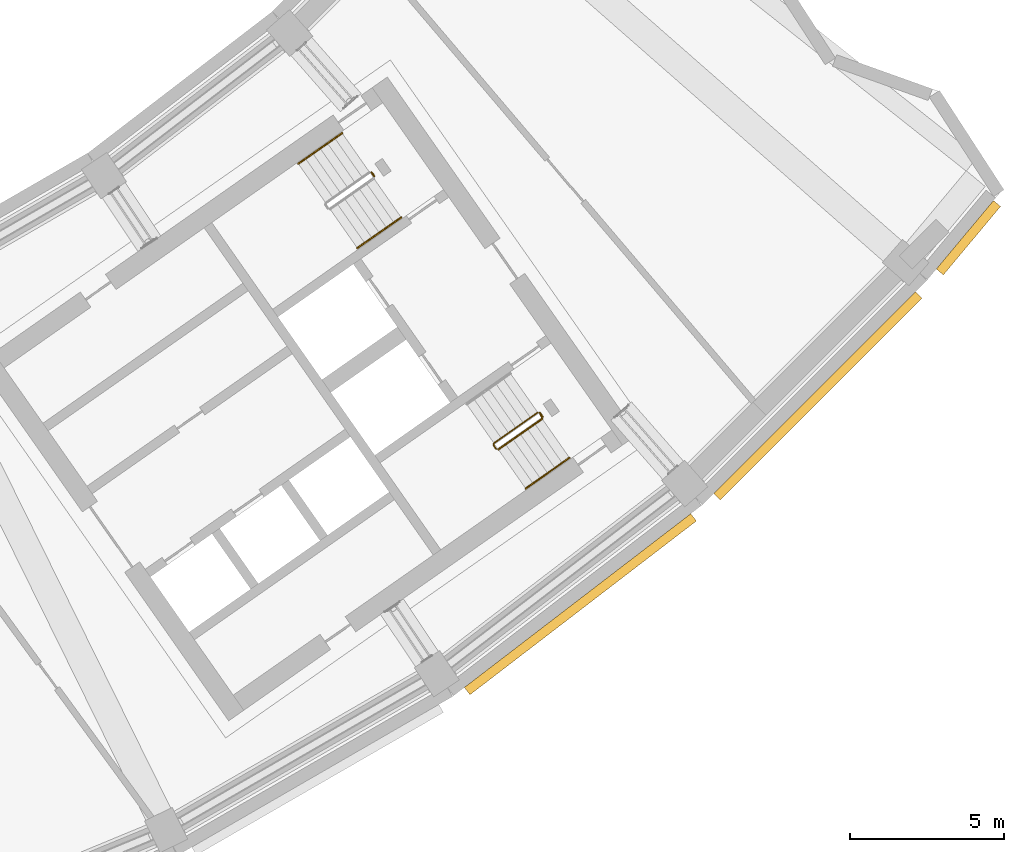
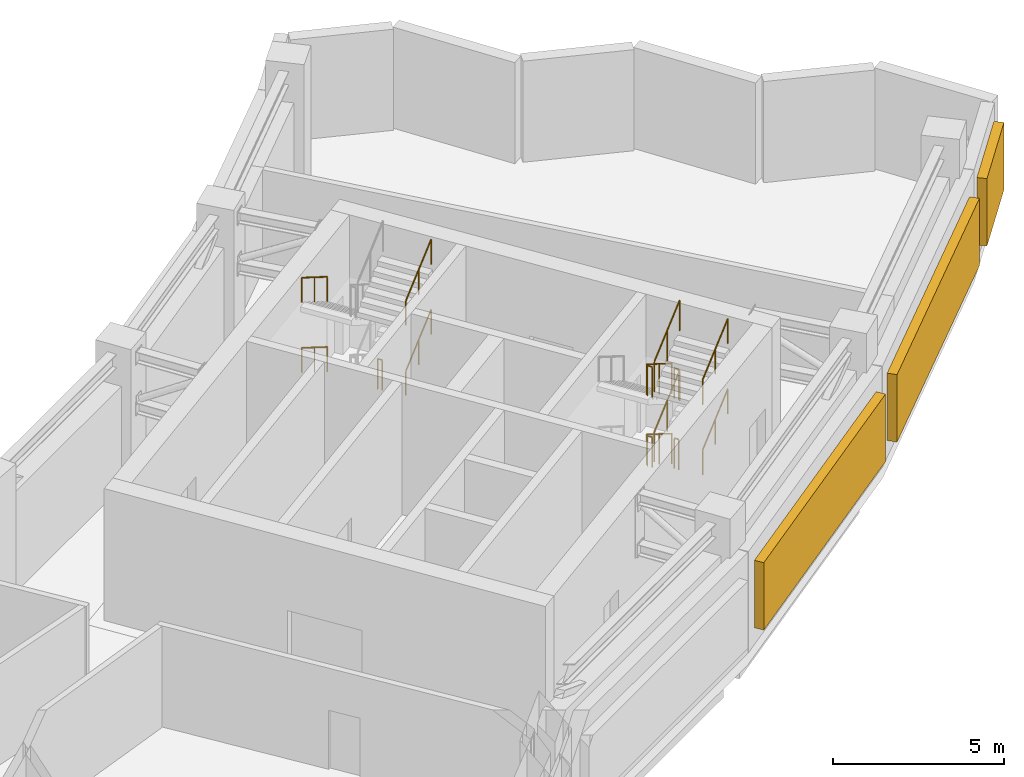
# One storey, part 24 of 24: 12 railings, 3 shading devices.
"""IFC4 building model written with IfcOpenShell, lengths in metres."""

from ifc_helpers import new_model, si_unit, direction, frame, origin, origin_2d, place, context, subcontext, project, spatial, rectangle, circle, extrude, material, type_object, element, save


model = new_model("IFC4")

# Units and contexts
model_context = context("Model", 3, precision=1e-05, world=origin(), true_north=direction((0.0, 1.0)))
body_context = subcontext(model_context, "Body", "Model", "MODEL_VIEW")
ifc_project = project(units=[si_unit("LENGTHUNIT", "METRE"), si_unit("AREAUNIT", "SQUARE_METRE"), si_unit("VOLUMEUNIT", "CUBIC_METRE"), si_unit("PLANEANGLEUNIT", "RADIAN"), si_unit("MASSUNIT", "GRAM", prefix="KILO")], contexts=[model_context])

# Site, building, storey
site_placement = place(None, origin())
site = spatial("IfcSite", under=ifc_project, at=site_placement, CompositionType="ELEMENT")
building_placement = place(site_placement, origin())
building = spatial("IfcBuilding", under=site, at=building_placement, Name="Qamariyya Broadcast Tower", CompositionType="ELEMENT")
storey_placement = place(building_placement, frame((0.0, 0.0, 253.10009765625)))
storey = spatial("IfcBuildingStorey", under=building, at=storey_placement, Name="L61", CompositionType="ELEMENT", Elevation=253.10009765625)

# Railings
ifc_material_1 = material(Name="Painted steel", Category="steel")
railing_type_1 = type_object("IfcRailingType", Name="Stair guard", PredefinedType="GUARDRAIL", material=ifc_material_1)
railing_1_placement = place(storey_placement, frame((41.072998046875, -48.332275390625, 0.0)))
element("IfcRailing", 1, at=railing_1_placement, inside=storey, type_object=railing_type_1, Name="L61 ST-E2 stair guard 5", PredefinedType="GUARDRAIL", context=body_context, shape_type="SweptSolid", body=[
    extrude(circle(Radius=0.02392578125, at=origin_2d()), frame((0.0, 0.0, 1.076171875), z_axis=(0.572588637393, -0.819842821722, 0.0), x_axis=(0.819842821722, 0.572588637393, 0.0)), (0.0, 0.0, 1.0), 0.150146484375),
    extrude(circle(Radius=0.02099609375, at=origin_2d()), origin(), (0.0, 0.0, 1.0), 1.052001953125),
    extrude(circle(Radius=0.02099609375, at=origin_2d()), frame((0.0859375, -0.123046875, 0.0)), (0.0, 0.0, 1.0), 1.052001953125),
])
railing_2_placement = place(storey_placement, frame((46.48095703125, -56.14306640625, 0.178466796875)))
element("IfcRailing", 2, at=railing_2_placement, inside=storey, type_object=railing_type_1, Name="L61 ST-E1 stair guard 1", PredefinedType="GUARDRAIL", context=body_context, shape_type="SweptSolid", body=[
    extrude(circle(Radius=0.02392578125, at=origin_2d()), frame((0.0, 0.0, 1.076171875), z_axis=(-0.69748900342, -0.488409565944, 0.52437122919), x_axis=(0.573594173421, -0.819139624372, 0.0)), (0.0, 0.0, 1.0), 2.04345703125),
    extrude(circle(Radius=0.02392578125, at=origin_2d()), frame((-1.42529296875, -0.998046875, 2.1474609375), z_axis=(-0.176149252506, -0.984363469884, 0.0), x_axis=(0.984363469884, -0.176149252506, 0.0)), (0.0, 0.0, 1.0), 0.07080078125),
    extrude(circle(Radius=0.02392578125, at=origin_2d()), frame((-1.437744140625, -1.067626953125, 2.1474609375), z_axis=(0.574444878118, -0.818543268254, 0.0), x_axis=(0.818543268254, 0.574444878118, 0.0)), (0.0, 0.0, 1.0), 0.150146484375),
    extrude(circle(Radius=0.02099609375, at=origin_2d()), origin(), (0.0, 0.0, 1.0), 1.052001953125),
    extrude(circle(Radius=0.02099609375, at=origin_2d()), frame((-0.712646484375, -0.4990234375, 0.53564453125)), (0.0, 0.0, 1.0), 1.052001953125),
    extrude(circle(Radius=0.02099609375, at=origin_2d()), frame((-1.42529296875, -0.998046875, 1.071533203125)), (0.0, 0.0, 1.0), 1.052001953125),
    extrude(circle(Radius=0.02099609375, at=origin_2d()), frame((-1.437744140625, -1.067626953125, 1.071533203125)), (0.0, 0.0, 1.0), 1.052001953125),
    extrude(circle(Radius=0.02099609375, at=origin_2d()), frame((-1.3515625, -1.1904296875, 1.071533203125)), (0.0, 0.0, 1.0), 1.052001953125),
])
railing_3_placement = place(storey_placement, frame((45.198974609375, -57.345703125, 1.428466796875)))
element("IfcRailing", 3, at=railing_3_placement, inside=storey, type_object=railing_type_1, Name="L61 ST-E1 stair guard 2", PredefinedType="GUARDRAIL", context=body_context, shape_type="SweptSolid", body=[
    extrude(circle(Radius=0.02392578125, at=origin_2d()), frame((0.0, 0.0, 1.076171875), z_axis=(0.69748900342, 0.488409565944, 0.52437122919), x_axis=(-0.573594173421, 0.819139624372, 0.0)), (0.0, 0.0, 1.0), 2.04345703125),
    extrude(circle(Radius=0.02392578125, at=origin_2d()), frame((1.42529296875, 0.998046875, 2.1474609375), z_axis=(-0.357867132547, 0.933772518038, 0.0), x_axis=(-0.933772518038, -0.357867132547, 0.0)), (0.0, 0.0, 1.0), 0.2060546875),
    extrude(circle(Radius=0.02392578125, at=origin_2d()), frame((1.3515625, 1.1904296875, 2.1474609375), z_axis=(0.574444878118, -0.818543268254, 0.0), x_axis=(0.818543268254, 0.574444878118, 0.0)), (0.0, 0.0, 1.0), 0.150146484375),
    extrude(circle(Radius=0.02099609375, at=origin_2d()), origin(), (0.0, 0.0, 1.0), 1.052001953125),
    extrude(circle(Radius=0.02099609375, at=origin_2d()), frame((0.712646484375, 0.4990234375, 0.53564453125)), (0.0, 0.0, 1.0), 1.052001953125),
    extrude(circle(Radius=0.02099609375, at=origin_2d()), frame((1.42529296875, 0.998046875, 1.071533203125)), (0.0, 0.0, 1.0), 1.052001953125),
    extrude(circle(Radius=0.02099609375, at=origin_2d()), frame((1.3515625, 1.1904296875, 1.071533203125)), (0.0, 0.0, 1.0), 1.052001953125),
    extrude(circle(Radius=0.02099609375, at=origin_2d()), frame((1.437744140625, 1.067626953125, 1.071533203125)), (0.0, 0.0, 1.0), 1.052001953125),
])
railing_4_placement = place(storey_placement, frame((46.48095703125, -56.14306640625, 2.678466796875)))
element("IfcRailing", 4, at=railing_4_placement, inside=storey, type_object=railing_type_1, Name="L61 ST-E1 stair guard 3", PredefinedType="GUARDRAIL", context=body_context, shape_type="SweptSolid", body=[
    extrude(circle(Radius=0.02392578125, at=origin_2d()), frame((0.0, 0.0, 1.076171875), z_axis=(-0.69748900342, -0.488409565944, 0.52437122919), x_axis=(0.573594173421, -0.819139624372, 0.0)), (0.0, 0.0, 1.0), 2.04345703125),
    extrude(circle(Radius=0.02392578125, at=origin_2d()), frame((-1.42529296875, -0.998046875, 2.1474609375), z_axis=(-0.176149252506, -0.984363469884, 0.0), x_axis=(0.984363469884, -0.176149252506, 0.0)), (0.0, 0.0, 1.0), 0.07080078125),
    extrude(circle(Radius=0.02392578125, at=origin_2d()), frame((-1.437744140625, -1.067626953125, 2.1474609375), z_axis=(0.574444878118, -0.818543268254, 0.0), x_axis=(0.818543268254, 0.574444878118, 0.0)), (0.0, 0.0, 1.0), 0.150146484375),
    extrude(circle(Radius=0.02099609375, at=origin_2d()), origin(), (0.0, 0.0, 1.0), 1.052001953125),
    extrude(circle(Radius=0.02099609375, at=origin_2d()), frame((-0.712646484375, -0.4990234375, 0.53564453125)), (0.0, 0.0, 1.0), 1.052001953125),
    extrude(circle(Radius=0.02099609375, at=origin_2d()), frame((-1.42529296875, -0.998046875, 1.071533203125)), (0.0, 0.0, 1.0), 1.052001953125),
    extrude(circle(Radius=0.02099609375, at=origin_2d()), frame((-1.437744140625, -1.067626953125, 1.071533203125)), (0.0, 0.0, 1.0), 1.052001953125),
    extrude(circle(Radius=0.02099609375, at=origin_2d()), frame((-1.3515625, -1.1904296875, 1.071533203125)), (0.0, 0.0, 1.0), 1.052001953125),
])
railing_5_placement = place(storey_placement, frame((45.198974609375, -57.345703125, 3.928466796875)))
element("IfcRailing", 5, at=railing_5_placement, inside=storey, type_object=railing_type_1, Name="L61 ST-E1 stair guard 4", PredefinedType="GUARDRAIL", context=body_context, shape_type="SweptSolid", body=[
    extrude(circle(Radius=0.02392578125, at=origin_2d()), frame((0.0, 0.0, 1.076171875), z_axis=(0.69748900342, 0.488409565944, 0.52437122919), x_axis=(-0.573594173421, 0.819139624372, 0.0)), (0.0, 0.0, 1.0), 2.04345703125),
    extrude(circle(Radius=0.02099609375, at=origin_2d()), origin(), (0.0, 0.0, 1.0), 1.052001953125),
    extrude(circle(Radius=0.02099609375, at=origin_2d()), frame((0.712646484375, 0.4990234375, 0.53564453125)), (0.0, 0.0, 1.0), 1.052001953125),
    extrude(circle(Radius=0.02099609375, at=origin_2d()), frame((1.42529296875, 0.998046875, 1.071533203125)), (0.0, 0.0, 1.0), 1.052001953125),
])
railing_6_placement = place(storey_placement, frame((46.550537109375, -56.1552734375, 0.0)))
element("IfcRailing", 6, at=railing_6_placement, inside=storey, type_object=railing_type_1, Name="L61 ST-E1 stair guard 5", PredefinedType="GUARDRAIL", context=body_context, shape_type="SweptSolid", body=[
    extrude(circle(Radius=0.02392578125, at=origin_2d()), frame((0.0, 0.0, 1.076171875), z_axis=(0.574444878118, -0.818543268254, 0.0), x_axis=(0.818543268254, 0.574444878118, 0.0)), (0.0, 0.0, 1.0), 0.150146484375),
    extrude(circle(Radius=0.02099609375, at=origin_2d()), origin(), (0.0, 0.0, 1.0), 1.052001953125),
    extrude(circle(Radius=0.02099609375, at=origin_2d()), frame((0.086181640625, -0.122802734375, 0.0)), (0.0, 0.0, 1.0), 1.052001953125),
])
ifc_material_2 = material(Name="Stainless steel", Category="steel")
railing_type_2 = type_object("IfcRailingType", Name="Stair handrail", PredefinedType="HANDRAIL", material=ifc_material_2)
railing_7_placement = place(storey_placement, frame((40.1142578125, -47.05029296875, 0.178466796875)))
element("IfcRailing", 7, at=railing_7_placement, inside=storey, type_object=railing_type_2, Name="L61 ST-E2 stair handrail 1", PredefinedType="HANDRAIL", context=body_context, shape_type="SweptSolid", body=[
    extrude(circle(Radius=0.02392578125, at=origin_2d()), frame((0.0, 0.0, 0.8759765625), z_axis=(-0.69748900342, -0.488409565944, 0.52437122919), x_axis=(0.573594173421, -0.819139624372, 0.0)), (0.0, 0.0, 1.0), 2.04345703125),
    extrude(circle(Radius=0.02099609375, at=origin_2d()), origin(), (0.0, 0.0, 1.0), 0.851806640625),
    extrude(circle(Radius=0.02099609375, at=origin_2d()), frame((-0.712646484375, -0.4990234375, 0.53564453125)), (0.0, 0.0, 1.0), 0.851806640625),
    extrude(circle(Radius=0.02099609375, at=origin_2d()), frame((-1.42529296875, -0.998046875, 1.071533203125)), (0.0, 0.0, 1.0), 0.851806640625),
])
railing_8_placement = place(storey_placement, frame((40.6103515625, -50.79248046875, 1.428466796875)))
element("IfcRailing", 8, at=railing_8_placement, inside=storey, type_object=railing_type_2, Name="L61 ST-E2 stair handrail 2", PredefinedType="HANDRAIL", context=body_context, shape_type="SweptSolid", body=[
    extrude(circle(Radius=0.02392578125, at=origin_2d()), frame((0.0, 0.0, 0.8759765625), z_axis=(0.69748900342, 0.488409565944, 0.52437122919), x_axis=(-0.573594173421, 0.819139624372, 0.0)), (0.0, 0.0, 1.0), 2.04345703125),
    extrude(circle(Radius=0.02099609375, at=origin_2d()), origin(), (0.0, 0.0, 1.0), 0.851806640625),
    extrude(circle(Radius=0.02099609375, at=origin_2d()), frame((0.712646484375, 0.4990234375, 0.53564453125)), (0.0, 0.0, 1.0), 0.851806640625),
    extrude(circle(Radius=0.02099609375, at=origin_2d()), frame((1.42529296875, 0.998046875, 1.071533203125)), (0.0, 0.0, 1.0), 0.851806640625),
])
railing_9_placement = place(storey_placement, frame((40.1142578125, -47.05029296875, 2.678466796875)))
element("IfcRailing", 9, at=railing_9_placement, inside=storey, type_object=railing_type_2, Name="L61 ST-E2 stair handrail 3", PredefinedType="HANDRAIL", context=body_context, shape_type="SweptSolid", body=[
    extrude(circle(Radius=0.02392578125, at=origin_2d()), frame((0.0, 0.0, 0.8759765625), z_axis=(-0.69748900342, -0.488409565944, 0.52437122919), x_axis=(0.573594173421, -0.819139624372, 0.0)), (0.0, 0.0, 1.0), 2.04345703125),
    extrude(circle(Radius=0.02099609375, at=origin_2d()), origin(), (0.0, 0.0, 1.0), 0.851806640625),
    extrude(circle(Radius=0.02099609375, at=origin_2d()), frame((-0.712646484375, -0.4990234375, 0.53564453125)), (0.0, 0.0, 1.0), 0.851806640625),
    extrude(circle(Radius=0.02099609375, at=origin_2d()), frame((-1.42529296875, -0.998046875, 1.071533203125)), (0.0, 0.0, 1.0), 0.851806640625),
])
for number, where, name in (
    (10, (40.6103515625, -50.79248046875, 3.928466796875), "L61 ST-E2 stair handrail 4"),
    (11, (46.088134765625, -58.615478515625, 1.428466796875), "L61 ST-E1 stair handrail 2"),
    (12, (46.088134765625, -58.615478515625, 3.928466796875), "L61 ST-E1 stair handrail 4"),
):
    element("IfcRailing", number, at=place(storey_placement, frame(where)), inside=storey, type_object=railing_type_2, Name=name, PredefinedType="HANDRAIL", context=body_context, shape_type="SweptSolid", body=[
        extrude(circle(Radius=0.02392578125, at=origin_2d()), frame((0.0, 0.0, 0.8759765625), z_axis=(0.69748900342, 0.488409565944, 0.52437122919), x_axis=(-0.573594173421, 0.819139624372, 0.0)), (0.0, 0.0, 1.0), 2.04345703125),
        extrude(circle(Radius=0.02099609375, at=origin_2d()), origin(), (0.0, 0.0, 1.0), 0.851806640625),
        extrude(circle(Radius=0.02099609375, at=origin_2d()), frame((0.712646484375, 0.4990234375, 0.53564453125)), (0.0, 0.0, 1.0), 0.851806640625),
        extrude(circle(Radius=0.02099609375, at=origin_2d()), frame((1.42529296875, 0.998046875, 1.071533203125)), (0.0, 0.0, 1.0), 0.851806640625),
    ])

# Shading devices
ifc_material_3 = material(Name="Glazed terracotta", Category="masonry")
shading_device_type = type_object("IfcShadingDeviceType", Name="Terracotta louvre bank", PredefinedType="USERDEFINED", material=ifc_material_3)
for number, where, z_axis, x_axis, name in (
    (13, (47.867919921875, -62.382568359375, 0.599853515625), (0.0, 0.0, 1.0), (0.793353340291, 0.608761429009, 0.0), "e-lv-L61-13"),
    (14, (55.600830078125, -55.600830078125, 0.599853515625), (0.0, 0.0, 1.0), (0.707106781187, 0.707106781187, 0.0), "e-lv-L61-14"),
):
    element("IfcShadingDevice", number, at=place(storey_placement, frame(where, z_axis=z_axis, x_axis=x_axis)), inside=storey, type_object=shading_device_type, Name=name, ObjectType="LOUVRE", PredefinedType="USERDEFINED", context=body_context, shape_type="SweptSolid", body=[
        extrude(rectangle(XDim=9.287841796875, YDim=0.300048828125, at=origin_2d()), origin(), (0.0, 0.0, 1.0), 2.39990234375),
    ])
shading_device_placement = place(storey_placement, frame((60.4970703125, -50.455322265625, 0.599853515625), z_axis=(0.0, 0.0, 1.0), x_axis=(0.640491505973, 0.767965253626, 0.0)))
element("IfcShadingDevice", 15, at=shading_device_placement, inside=storey, type_object=shading_device_type, Name="e-lv-L61-15", ObjectType="LOUVRE", PredefinedType="USERDEFINED", context=body_context, shape_type="SweptSolid", body=[
    extrude(rectangle(XDim=2.90234375, YDim=0.300048828125, at=origin_2d()), origin(), (0.0, 0.0, 1.0), 2.39990234375),
])

save(model, "model.ifc")
